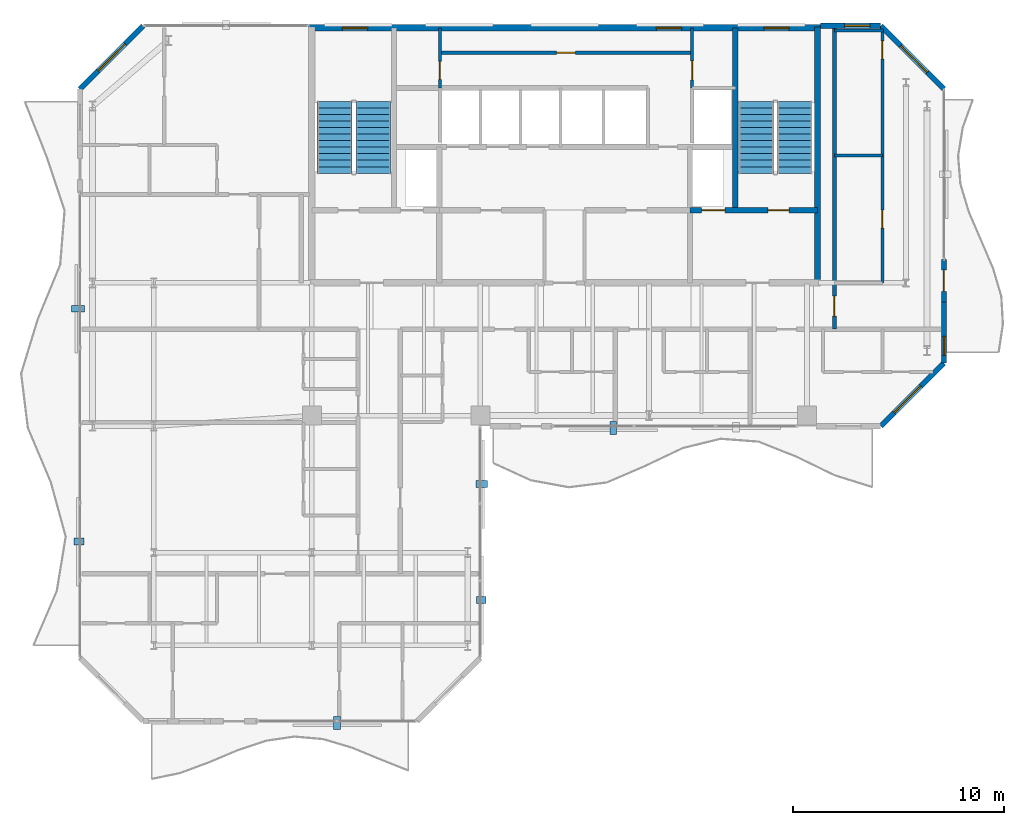
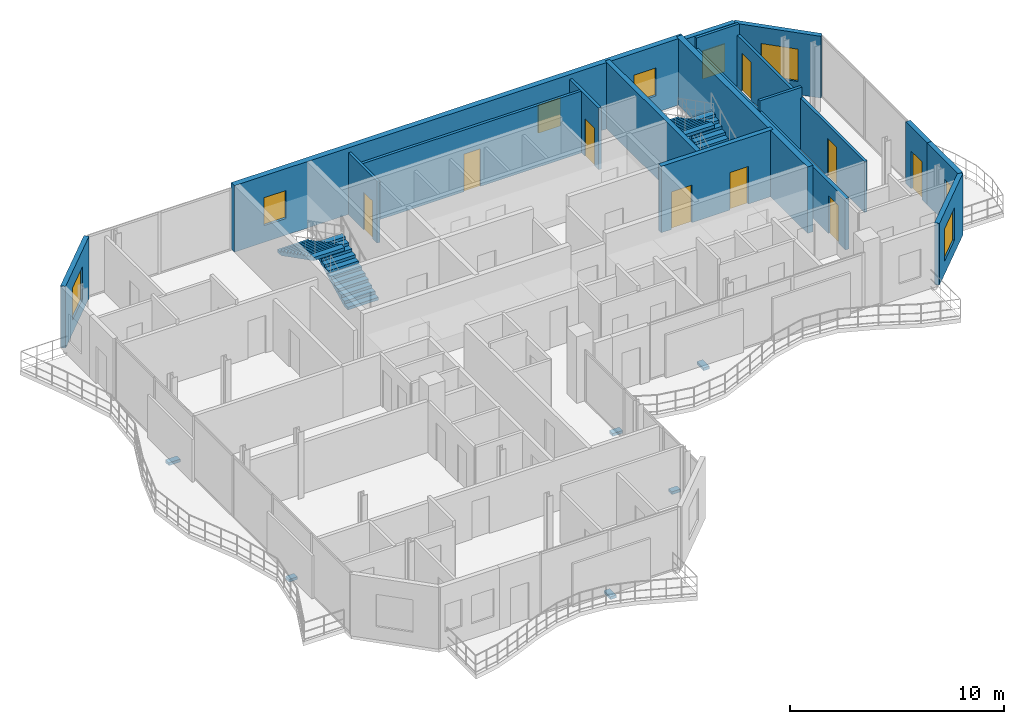
# One storey, part 20 of 24: 17 walls, 9 doors, 8 windows, 6 discrete accessories, 4 stair flights, 17 openings, 2 elements without a shape of their own.
"""IFC4 building model written with IfcOpenShell, lengths in metres."""

from ifc_helpers import new_model, si_unit, direction, frame, frame_2d, origin, origin_2d, place, context, subcontext, project, spatial, polyline, rectangle, outline, extrude, material, layer, layer_set, type_object, element, fill, aggregate, save


model = new_model("IFC4")

# Units and contexts
model_context = context("Model", 3, precision=1e-05, world=origin(), true_north=direction((0.0, 1.0)))
body_context = subcontext(model_context, "Body", "Model", "MODEL_VIEW")
ifc_project = project(units=[si_unit("LENGTHUNIT", "METRE"), si_unit("AREAUNIT", "SQUARE_METRE"), si_unit("VOLUMEUNIT", "CUBIC_METRE"), si_unit("PLANEANGLEUNIT", "RADIAN"), si_unit("MASSUNIT", "GRAM", prefix="KILO")], contexts=[model_context])

# Site, building, storey
site_placement = place(None, origin())
site = spatial("IfcSite", under=ifc_project, at=site_placement, CompositionType="ELEMENT")
building_placement = place(site_placement, origin())
building = spatial("IfcBuilding", under=site, at=building_placement, Name="Catumbela Crestline Tower", CompositionType="ELEMENT")
storey_placement = place(building_placement, frame((0.0, 0.0, 237.4)))
storey = spatial("IfcBuildingStorey", under=building, at=storey_placement, Name="L61", CompositionType="ELEMENT", Elevation=237.4)

# Wall
ifc_material_1 = material(Name="Concrete C50/60", Category="concrete")
ifc_layer_1 = layer(ifc_material_1, 0.25, Name="Concrete C50/60")
ifc_layer_set_1 = layer_set([ifc_layer_1], Name="Concrete C50/60")
wall_type_1 = type_object("IfcWallType", Name="CW-250D", PredefinedType="SHEAR", material=ifc_layer_set_1)
wall_1_placement = place(storey_placement, frame((36.1, 34.25, 0.0), z_axis=(0.0, 0.0, 1.0), x_axis=(0.0, 1.0, 0.0)))
element("IfcWall", 1, at=wall_1_placement, inside=storey, type_object=wall_type_1, Name="L61 Structural Core Shear Wall EWEB", PredefinedType="SHEAR", context=body_context, shape_type="SweptSolid", body=[
    extrude(rectangle(XDim=8.65, YDim=0.25, at=frame_2d((4.325, 0.0))), origin(), (0.0, 0.0, 1.0), 3.8),
])

# Wall, openings, doors
wall_2_placement = place(storey_placement, frame((33.95, 34.25, 0.0), z_axis=(0.0, 0.0, 1.0), x_axis=(1.0, 0.0, 0.0)))
wall_2 = element("IfcWall", 2, at=wall_2_placement, inside=storey, type_object=wall_type_1, Name="L61 Structural Core Shear Wall ST2S", PredefinedType="SHEAR", context=body_context, shape_type="SweptSolid", body=[
    extrude(rectangle(XDim=6.05, YDim=0.25, at=frame_2d((3.025, 0.0))), origin(), (0.0, 0.0, 1.0), 3.8),
])
opening_1_placement = place(wall_2_placement, frame((3.7, 0.0, 0.0)))
opening_1 = element("IfcOpeningElement", 3, at=opening_1_placement, cuts=wall_2, Name="Opening DF9-100", PredefinedType="OPENING", context=body_context, shape_type="SweptSolid", body=[
    extrude(rectangle(XDim=1.0, YDim=2.15, at=frame_2d((0.5, 1.075))), frame((0.0, 0.135, 0.0), z_axis=(0.0, -1.0, 0.0), x_axis=(1.0, 0.0, 0.0)), (0.0, 0.0, 1.0), 0.27),
])
opening_2_placement = place(wall_2_placement, frame((0.55, 0.0, 0.0)))
opening_2 = element("IfcOpeningElement", 4, at=opening_2_placement, cuts=wall_2, Name="Opening LD-110", PredefinedType="OPENING", context=body_context, shape_type="SweptSolid", body=[
    extrude(rectangle(XDim=1.1, YDim=2.15, at=frame_2d((0.55, 1.075))), frame((0.0, 0.135, 0.0), z_axis=(0.0, -1.0, 0.0), x_axis=(1.0, 0.0, 0.0)), (0.0, 0.0, 1.0), 0.27),
])
ifc_material_2 = material(Name="Stainless steel EN 1.4401", Category="steel")
door_type_1 = type_object("IfcDoorType", Name="DF9-100", OperationType="NOTDEFINED", PredefinedType="DOOR", material=ifc_material_2)
door_1_placement = place(opening_1_placement, origin())
door_1 = element("IfcDoor", 5, at=door_1_placement, inside=storey, type_object=door_type_1, Name="L61 Interior Door DR-L61-ST02", OperationType="SINGLE_SWING_RIGHT", OverallHeight=2.15, OverallWidth=1.0, PredefinedType="DOOR", context=body_context, shape_type="SweptSolid", body=[
    extrude(rectangle(XDim=1.0, YDim=2.15, at=frame_2d((0.5, 1.075))), frame((0.0, 0.025, 0.0), z_axis=(0.0, -1.0, 0.0), x_axis=(1.0, 0.0, 0.0)), (0.0, 0.0, 1.0), 0.05),
])
fill(opening_1, door_1)
door_type_2 = type_object("IfcDoorType", Name="LD-110", OperationType="NOTDEFINED", PredefinedType="DOOR", material=ifc_material_2)
door_2_placement = place(opening_2_placement, origin())
door_2 = element("IfcDoor", 6, at=door_2_placement, inside=storey, type_object=door_type_2, Name="L61 Lift Landing Sliding Door FL-02", OperationType="DOUBLE_DOOR_SLIDING", OverallHeight=2.15, OverallWidth=1.1, PredefinedType="DOOR", context=body_context, shape_type="SweptSolid", body=[
    extrude(rectangle(XDim=1.1, YDim=2.15, at=frame_2d((0.55, 1.075))), frame((0.0, 0.025, 0.0), z_axis=(0.0, -1.0, 0.0), x_axis=(1.0, 0.0, 0.0)), (0.0, 0.0, 1.0), 0.05),
])
fill(opening_2, door_2)

# Wall
ifc_material_3 = material(Name="Concrete C45/55", Category="concrete")
ifc_layer_2 = layer(ifc_material_3, 0.3, Name="Concrete C45/55")
ifc_layer_set_2 = layer_set([ifc_layer_2], Name="Concrete C45/55")
wall_type_2 = type_object("IfcWallType", Name="CW-300C", PredefinedType="SHEAR", material=ifc_layer_set_2)
wall_3_placement = place(storey_placement, frame((40.0, 30.65, 0.0), z_axis=(0.0, 0.0, 1.0), x_axis=(0.0, 1.0, 0.0)))
element("IfcWall", 7, at=wall_3_placement, inside=storey, type_object=wall_type_2, Name="L61 Structural Core Shear Wall E", PredefinedType="SHEAR", context=body_context, shape_type="SweptSolid", body=[
    extrude(rectangle(XDim=12.3, YDim=0.3, at=frame_2d((6.15, 0.0))), origin(), (0.0, 0.0, 1.0), 3.8),
])

# Wall, openings, windows
ifc_layer_3 = layer(ifc_material_3, 0.3, Name="Concrete C45/55")
ifc_layer_set_3 = layer_set([ifc_layer_3], Name="Concrete C45/55")
wall_type_3 = type_object("IfcWallType", Name="CW-300E", PredefinedType="SHEAR", material=ifc_layer_set_3)
wall_4_placement = place(storey_placement, frame((15.85, 42.9, 0.0), z_axis=(0.0, 0.0, 1.0), x_axis=(1.0, 0.0, 0.0)))
wall_4 = element("IfcWall", 8, at=wall_4_placement, inside=storey, type_object=wall_type_3, Name="L61 Structural Core Shear Wall N", PredefinedType="SHEAR", context=body_context, shape_type="SweptSolid", body=[
    extrude(rectangle(XDim=24.3, YDim=0.3, at=frame_2d((12.15, 0.0))), origin(), (0.0, 0.0, 1.0), 3.8),
])
opening_3_placement = place(wall_4_placement, frame((1.6, 0.0, 0.95)))
opening_3 = element("IfcOpeningElement", 9, at=opening_3_placement, cuts=wall_4, Name="Opening WN-02", PredefinedType="OPENING", context=body_context, shape_type="SweptSolid", body=[
    extrude(rectangle(XDim=1.2, YDim=1.6, at=frame_2d((0.6, 0.8))), frame((0.0, 0.16, 0.0), z_axis=(0.0, -1.0, 0.0), x_axis=(1.0, 0.0, 0.0)), (0.0, 0.0, 1.0), 0.32),
])
opening_4_placement = place(wall_4_placement, frame((16.5, 0.0, 0.95)))
opening_4 = element("IfcOpeningElement", 10, at=opening_4_placement, cuts=wall_4, Name="Opening WN-02", PredefinedType="OPENING", context=body_context, shape_type="SweptSolid", body=[
    extrude(rectangle(XDim=1.2, YDim=1.6, at=frame_2d((0.6, 0.8))), frame((0.0, 0.16, 0.0), z_axis=(0.0, -1.0, 0.0), x_axis=(1.0, 0.0, 0.0)), (0.0, 0.0, 1.0), 0.32),
])
opening_5_placement = place(wall_4_placement, frame((21.6, 0.0, 0.95)))
opening_5 = element("IfcOpeningElement", 11, at=opening_5_placement, cuts=wall_4, Name="Opening WN-02", PredefinedType="OPENING", context=body_context, shape_type="SweptSolid", body=[
    extrude(rectangle(XDim=1.2, YDim=1.6, at=frame_2d((0.6, 0.8))), frame((0.0, 0.16, 0.0), z_axis=(0.0, -1.0, 0.0), x_axis=(1.0, 0.0, 0.0)), (0.0, 0.0, 1.0), 0.32),
])
ifc_material_4 = material(Name="Low-E laminated solar-control double glazing", Category="glass")
window_type_1 = type_object("IfcWindowType", Name="WO-1200", PartitioningType="SINGLE_PANEL", PredefinedType="WINDOW", material=ifc_material_4)
window_1_placement = place(opening_3_placement, origin())
window_1 = element("IfcWindow", 12, at=window_1_placement, inside=storey, type_object=window_type_1, Name="L61 North Core Daylight Vision Window 440", OverallHeight=1.6, OverallWidth=1.2, PartitioningType="SINGLE_PANEL", PredefinedType="WINDOW", context=body_context, shape_type="SweptSolid", body=[
    extrude(rectangle(XDim=1.2, YDim=1.6, at=frame_2d((0.6, 0.8))), frame((0.0, 0.03, 0.0), z_axis=(0.0, -1.0, 0.0), x_axis=(1.0, 0.0, 0.0)), (0.0, 0.0, 1.0), 0.06),
])
fill(opening_3, window_1)
window_2_placement = place(opening_4_placement, origin())
window_2 = element("IfcWindow", 13, at=window_2_placement, inside=storey, type_object=window_type_1, Name="L61 North Core Daylight Vision Window 441", OverallHeight=1.6, OverallWidth=1.2, PartitioningType="SINGLE_PANEL", PredefinedType="WINDOW", context=body_context, shape_type="SweptSolid", body=[
    extrude(rectangle(XDim=1.2, YDim=1.6, at=frame_2d((0.6, 0.8))), frame((0.0, 0.03, 0.0), z_axis=(0.0, -1.0, 0.0), x_axis=(1.0, 0.0, 0.0)), (0.0, 0.0, 1.0), 0.06),
])
fill(opening_4, window_2)
window_3_placement = place(opening_5_placement, origin())
window_3 = element("IfcWindow", 14, at=window_3_placement, inside=storey, type_object=window_type_1, Name="L61 North Core Daylight Vision Window 442", OverallHeight=1.6, OverallWidth=1.2, PartitioningType="SINGLE_PANEL", PredefinedType="WINDOW", context=body_context, shape_type="SweptSolid", body=[
    extrude(rectangle(XDim=1.2, YDim=1.6, at=frame_2d((0.6, 0.8))), frame((0.0, 0.03, 0.0), z_axis=(0.0, -1.0, 0.0), x_axis=(1.0, 0.0, 0.0)), (0.0, 0.0, 1.0), 0.06),
])
fill(opening_5, window_3)

# Wall, opening, door
ifc_material_5 = material(Name="Acoustic gypsum and mineral-wool partition")
ifc_layer_4 = layer(ifc_material_5, 0.2, Name="Acoustic gypsum and mineral-wool partition")
ifc_layer_set_4 = layer_set([ifc_layer_4], Name="Acoustic gypsum and mineral-wool partition")
wall_type_4 = type_object("IfcWallType", Name="WC-200", PredefinedType="PARTITIONING", material=ifc_layer_set_4)
wall_5_placement = place(storey_placement, frame((40.8, 28.6, 0.0), z_axis=(0.0, 0.0, 1.0), x_axis=(0.0, 1.0, 0.0)))
wall_5 = element("IfcWall", 15, at=wall_5_placement, inside=storey, type_object=wall_type_4, Name="L61 Interior Partition PW-L61-NE1-ENT", PredefinedType="PARTITIONING", context=body_context, shape_type="SweptSolid", body=[
    extrude(rectangle(XDim=14.3, YDim=0.2, at=frame_2d((7.15, 0.0))), origin(), (0.0, 0.0, 1.0), 2.92),
])
opening_6_placement = place(wall_5_placement, frame((0.625, 0.0, 0.0)))
opening_6 = element("IfcOpeningElement", 16, at=opening_6_placement, cuts=wall_5, Name="Opening DF6-095", PredefinedType="OPENING", context=body_context, shape_type="SweptSolid", body=[
    extrude(rectangle(XDim=0.95, YDim=2.15, at=frame_2d((0.475, 1.075))), frame((0.0, 0.11, 0.0), z_axis=(0.0, -1.0, 0.0), x_axis=(1.0, 0.0, 0.0)), (0.0, 0.0, 1.0), 0.22),
])
ifc_material_6 = material(Name="Aluminium alloy AW-6060-T66", Category="aluminium")
door_type_3 = type_object("IfcDoorType", Name="DF6-095", OperationType="NOTDEFINED", PredefinedType="DOOR", material=ifc_material_6)
door_3_placement = place(opening_6_placement, origin())
door_3 = element("IfcDoor", 17, at=door_3_placement, inside=storey, type_object=door_type_3, Name="L61 Interior Door DR-L61-NE1-ENT", OperationType="SINGLE_SWING_LEFT", OverallHeight=2.15, OverallWidth=0.95, PredefinedType="DOOR", context=body_context, shape_type="SweptSolid", body=[
    extrude(rectangle(XDim=0.95, YDim=2.15, at=frame_2d((0.475, 1.075))), frame((0.0, 0.025, 0.0), z_axis=(0.0, -1.0, 0.0), x_axis=(1.0, 0.0, 0.0)), (0.0, 0.0, 1.0), 0.05),
])
fill(opening_6, door_3)

# Wall, opening, window
ifc_material_7 = material(Name="Angolan grey-ochre granite", Category="masonry")
ifc_layer_5 = layer(ifc_material_7, 0.25, Name="Angolan grey-ochre granite")
ifc_layer_set_5 = layer_set([ifc_layer_5], Name="Angolan grey-ochre granite")
wall_type_5 = type_object("IfcWallType", Name="WE-250", PredefinedType="STANDARD", material=ifc_layer_set_5)
wall_6_placement = place(storey_placement, frame((43.0, 24.0, 0.0), z_axis=(0.0, 0.0, 1.0), x_axis=(0.707106781187, 0.707106781187, 0.0)))
wall_6 = element("IfcWall", 18, at=wall_6_placement, inside=storey, type_object=wall_type_5, Name="L61 Granite Punched Window Wall 4-1", PredefinedType="STANDARD", context=body_context, shape_type="SweptSolid", body=[
    extrude(rectangle(XDim=4.2426, YDim=0.25, at=frame_2d((2.1213, 0.0))), origin(), (0.0, 0.0, 1.0), 3.53),
])
opening_7_placement = place(wall_6_placement, frame((0.8962, 0.0, 0.75)))
opening_7 = element("IfcOpeningElement", 19, at=opening_7_placement, cuts=wall_6, Name="Opening WN-01", PredefinedType="OPENING", context=body_context, shape_type="SweptSolid", body=[
    extrude(rectangle(XDim=1.8, YDim=1.85, at=frame_2d((0.9, 0.925))), frame((0.0, 0.135, 0.0), z_axis=(0.0, -1.0, 0.0), x_axis=(1.0, 0.0, 0.0)), (0.0, 0.0, 1.0), 0.27),
])
window_type_2 = type_object("IfcWindowType", Name="WF-1800", PartitioningType="SINGLE_PANEL", PredefinedType="WINDOW", material=ifc_material_4)
window_4_placement = place(opening_7_placement, origin())
window_4 = element("IfcWindow", 20, at=window_4_placement, inside=storey, type_object=window_type_2, Name="L61 Facade Vision Window 447", OverallHeight=1.85, OverallWidth=1.8, PartitioningType="SINGLE_PANEL", PredefinedType="WINDOW", context=body_context, shape_type="SweptSolid", body=[
    extrude(rectangle(XDim=1.8, YDim=1.85, at=frame_2d((0.9, 0.925))), frame((0.0, 0.03, 0.0), z_axis=(0.0, -1.0, 0.0), x_axis=(1.0, 0.0, 0.0)), (0.0, 0.0, 1.0), 0.06),
])
fill(opening_7, window_4)

# Wall, opening, door
wall_7_placement = place(storey_placement, frame((46.0, 29.9, 0.0), z_axis=(0.0, 0.0, 1.0), x_axis=(0.0, 1.0, 0.0)))
wall_7 = element("IfcWall", 21, at=wall_7_placement, inside=storey, type_object=wall_type_5, Name="L61 Exterior Threshold Portal Wall DR-L61-WBAL-2", PredefinedType="STANDARD", context=body_context, shape_type="SweptSolid", body=[
    extrude(rectangle(XDim=2.0, YDim=0.25, at=frame_2d((1.0, 0.0))), origin(), (0.0, 0.0, 1.0), 3.53),
])
opening_8_placement = place(wall_7_placement, frame((0.5, 0.0, 0.0)))
opening_8 = element("IfcOpeningElement", 22, at=opening_8_placement, cuts=wall_7, Name="Opening DB-L61-2", PredefinedType="OPENING", context=body_context, shape_type="SweptSolid", body=[
    extrude(rectangle(XDim=1.0, YDim=2.15, at=frame_2d((0.5, 1.075))), frame((0.0, 0.135, 0.0), z_axis=(0.0, -1.0, 0.0), x_axis=(1.0, 0.0, 0.0)), (0.0, 0.0, 1.0), 0.27),
])
door_type_4 = type_object("IfcDoorType", Name="DB-1000", OperationType="NOTDEFINED", PredefinedType="DOOR", material=ifc_material_6)
door_4_placement = place(opening_8_placement, origin())
door_4 = element("IfcDoor", 23, at=door_4_placement, inside=storey, type_object=door_type_4, Name="L61 Wave Balcony Terrace Door 2", OperationType="SINGLE_SWING_RIGHT", OverallHeight=2.15, OverallWidth=1.0, PredefinedType="DOOR", context=body_context, shape_type="SweptSolid", body=[
    extrude(rectangle(XDim=1.0, YDim=2.15, at=frame_2d((0.5, 1.075))), frame((0.0, 0.025, 0.0), z_axis=(0.0, -1.0, 0.0), x_axis=(1.0, 0.0, 0.0)), (0.0, 0.0, 1.0), 0.05),
])
fill(opening_8, door_4)

# Wall, opening, window
wall_8_placement = place(storey_placement, frame((46.0, 27.0, 0.0), z_axis=(0.0, 0.0, 1.0), x_axis=(0.0, 1.0, 0.0)))
wall_8 = element("IfcWall", 24, at=wall_8_placement, inside=storey, type_object=wall_type_5, Name="L61 Granite Punched Window Wall 5-1", PredefinedType="STANDARD", context=body_context, shape_type="SweptSolid", body=[
    extrude(rectangle(XDim=2.9, YDim=0.25, at=frame_2d((1.45, 0.0))), origin(), (0.0, 0.0, 1.0), 3.53),
])
opening_9_placement = place(wall_8_placement, frame((0.36, 0.0, 0.9)))
opening_9 = element("IfcOpeningElement", 25, at=opening_9_placement, cuts=wall_8, Name="Opening WN-03", PredefinedType="OPENING", context=body_context, shape_type="SweptSolid", body=[
    extrude(rectangle(XDim=0.9, YDim=1.55, at=frame_2d((0.45, 0.775))), frame((0.0, 0.135, 0.0), z_axis=(0.0, -1.0, 0.0), x_axis=(1.0, 0.0, 0.0)), (0.0, 0.0, 1.0), 0.27),
])
window_type_3 = type_object("IfcWindowType", Name="WO-0900", PartitioningType="SINGLE_PANEL", PredefinedType="WINDOW", material=ifc_material_4)
window_5_placement = place(opening_9_placement, origin())
window_5 = element("IfcWindow", 26, at=window_5_placement, inside=storey, type_object=window_type_3, Name="L61 Facade Vision Window 448", OverallHeight=1.55, OverallWidth=0.9, PartitioningType="SINGLE_PANEL", PredefinedType="WINDOW", context=body_context, shape_type="SweptSolid", body=[
    extrude(rectangle(XDim=0.9, YDim=1.55, at=frame_2d((0.45, 0.775))), frame((0.0, 0.03, 0.0), z_axis=(0.0, -1.0, 0.0), x_axis=(1.0, 0.0, 0.0)), (0.0, 0.0, 1.0), 0.06),
])
fill(opening_9, window_5)

wall_9_placement = place(storey_placement, frame((46.0, 40.0, 0.0), z_axis=(0.0, 0.0, 1.0), x_axis=(-0.707106781187, 0.707106781187, 0.0)))
wall_9 = element("IfcWall", 27, at=wall_9_placement, inside=storey, type_object=wall_type_5, Name="L61 Granite Punched Window Wall 6-1", PredefinedType="STANDARD", context=body_context, shape_type="SweptSolid", body=[
    extrude(rectangle(XDim=4.2426, YDim=0.25, at=frame_2d((2.1213, 0.0))), origin(), (0.0, 0.0, 1.0), 3.53),
])
opening_10_placement = place(wall_9_placement, frame((1.1111, 0.0, 0.75)))
opening_10 = element("IfcOpeningElement", 28, at=opening_10_placement, cuts=wall_9, Name="Opening WN-01", PredefinedType="OPENING", context=body_context, shape_type="SweptSolid", body=[
    extrude(rectangle(XDim=1.8, YDim=1.85, at=frame_2d((0.9, 0.925))), frame((0.0, 0.135, 0.0), z_axis=(0.0, -1.0, 0.0), x_axis=(1.0, 0.0, 0.0)), (0.0, 0.0, 1.0), 0.27),
])
window_6_placement = place(opening_10_placement, origin())
window_6 = element("IfcWindow", 29, at=window_6_placement, inside=storey, type_object=window_type_2, Name="L61 Facade Vision Window 449", OverallHeight=1.85, OverallWidth=1.8, PartitioningType="SINGLE_PANEL", PredefinedType="WINDOW", context=body_context, shape_type="SweptSolid", body=[
    extrude(rectangle(XDim=1.8, YDim=1.85, at=frame_2d((0.9, 0.925))), frame((0.0, 0.03, 0.0), z_axis=(0.0, -1.0, 0.0), x_axis=(1.0, 0.0, 0.0)), (0.0, 0.0, 1.0), 0.06),
])
fill(opening_10, window_6)

wall_10_placement = place(storey_placement, frame((43.0, 43.0, 0.0), z_axis=(0.0, 0.0, 1.0), x_axis=(-1.0, 0.0, 0.0)))
wall_10 = element("IfcWall", 30, at=wall_10_placement, inside=storey, type_object=wall_type_5, Name="L61 Granite Punched Window Wall 7-1", PredefinedType="STANDARD", context=body_context, shape_type="SweptSolid", body=[
    extrude(rectangle(XDim=2.86, YDim=0.25, at=frame_2d((1.43, 0.0))), origin(), (0.0, 0.0, 1.0), 3.53),
])
opening_11_placement = place(wall_10_placement, frame((0.51, 0.0, 0.85)))
opening_11 = element("IfcOpeningElement", 31, at=opening_11_placement, cuts=wall_10, Name="Opening WN-02", PredefinedType="OPENING", context=body_context, shape_type="SweptSolid", body=[
    extrude(rectangle(XDim=1.2, YDim=1.6, at=frame_2d((0.6, 0.8))), frame((0.0, 0.135, 0.0), z_axis=(0.0, -1.0, 0.0), x_axis=(1.0, 0.0, 0.0)), (0.0, 0.0, 1.0), 0.27),
])
window_7_placement = place(opening_11_placement, origin())
window_7 = element("IfcWindow", 32, at=window_7_placement, inside=storey, type_object=window_type_1, Name="L61 Facade Vision Window 450", OverallHeight=1.6, OverallWidth=1.2, PartitioningType="SINGLE_PANEL", PredefinedType="WINDOW", context=body_context, shape_type="SweptSolid", body=[
    extrude(rectangle(XDim=1.2, YDim=1.6, at=frame_2d((0.6, 0.8))), frame((0.0, 0.03, 0.0), z_axis=(0.0, -1.0, 0.0), x_axis=(1.0, 0.0, 0.0)), (0.0, 0.0, 1.0), 0.06),
])
fill(opening_11, window_7)

wall_11_placement = place(storey_placement, frame((8.0, 43.0, 0.0), z_axis=(0.0, 0.0, 1.0), x_axis=(-0.707106781187, -0.707106781187, 0.0)))
wall_11 = element("IfcWall", 33, at=wall_11_placement, inside=storey, type_object=wall_type_5, Name="L61 Granite Punched Window Wall 8-1", PredefinedType="STANDARD", context=body_context, shape_type="SweptSolid", body=[
    extrude(rectangle(XDim=4.2426, YDim=0.25, at=frame_2d((2.1213, 0.0))), origin(), (0.0, 0.0, 1.0), 3.53),
])
opening_12_placement = place(wall_11_placement, frame((1.2213, 0.0, 0.75)))
opening_12 = element("IfcOpeningElement", 34, at=opening_12_placement, cuts=wall_11, Name="Opening WN-01", PredefinedType="OPENING", context=body_context, shape_type="SweptSolid", body=[
    extrude(rectangle(XDim=1.8, YDim=1.85, at=frame_2d((0.9, 0.925))), frame((0.0, 0.135, 0.0), z_axis=(0.0, -1.0, 0.0), x_axis=(1.0, 0.0, 0.0)), (0.0, 0.0, 1.0), 0.27),
])
window_8_placement = place(opening_12_placement, origin())
window_8 = element("IfcWindow", 35, at=window_8_placement, inside=storey, type_object=window_type_2, Name="L61 Facade Vision Window 451", OverallHeight=1.85, OverallWidth=1.8, PartitioningType="SINGLE_PANEL", PredefinedType="WINDOW", context=body_context, shape_type="SweptSolid", body=[
    extrude(rectangle(XDim=1.8, YDim=1.85, at=frame_2d((0.9, 0.925))), frame((0.0, 0.03, 0.0), z_axis=(0.0, -1.0, 0.0), x_axis=(1.0, 0.0, 0.0)), (0.0, 0.0, 1.0), 0.06),
])
fill(opening_12, window_8)

# Wall, opening, door
ifc_layer_6 = layer(ifc_material_5, 0.15, Name="Acoustic gypsum and mineral-wool partition")
ifc_layer_set_6 = layer_set([ifc_layer_6], Name="Acoustic gypsum and mineral-wool partition")
wall_type_6 = type_object("IfcWallType", Name="WP-150", PredefinedType="PARTITIONING", material=ifc_layer_set_6)
wall_12_placement = place(storey_placement, frame((34.05, 40.05, 0.0), z_axis=(0.0, 0.0, 1.0), x_axis=(0.0, 1.0, 0.0)))
wall_12 = element("IfcWall", 36, at=wall_12_placement, inside=storey, type_object=wall_type_6, Name="L61 Interior Partition PW-L61-CR-EW", PredefinedType="PARTITIONING", context=body_context, shape_type="SweptSolid", body=[
    extrude(rectangle(XDim=2.85, YDim=0.15, at=frame_2d((1.425, 0.0))), origin(), (0.0, 0.0, 1.0), 3.53),
])
opening_13_placement = place(wall_12_placement, frame((0.385, 0.0, 0.0)))
opening_13 = element("IfcOpeningElement", 37, at=opening_13_placement, cuts=wall_12, Name="Opening DF9-090", PredefinedType="OPENING", context=body_context, shape_type="SweptSolid", body=[
    extrude(rectangle(XDim=0.9, YDim=2.15, at=frame_2d((0.45, 1.075))), frame((0.0, 0.085, 0.0), z_axis=(0.0, -1.0, 0.0), x_axis=(1.0, 0.0, 0.0)), (0.0, 0.0, 1.0), 0.17),
])
door_type_5 = type_object("IfcDoorType", Name="DF9-090", OperationType="NOTDEFINED", PredefinedType="DOOR", material=ifc_material_2)
door_5_placement = place(opening_13_placement, origin())
door_5 = element("IfcDoor", 38, at=door_5_placement, inside=storey, type_object=door_type_5, Name="L61 Interior Door DR-L61-CREAST", OperationType="SINGLE_SWING_RIGHT", OverallHeight=2.15, OverallWidth=0.9, PredefinedType="DOOR", context=body_context, shape_type="SweptSolid", body=[
    extrude(rectangle(XDim=0.9, YDim=2.15, at=frame_2d((0.45, 1.075))), frame((0.0, 0.025, 0.0), z_axis=(0.0, -1.0, 0.0), x_axis=(1.0, 0.0, 0.0)), (0.0, 0.0, 1.0), 0.05),
])
fill(opening_13, door_5)

wall_13_placement = place(storey_placement, frame((22.08, 40.05, 0.0), z_axis=(0.0, 0.0, 1.0), x_axis=(0.0, 1.0, 0.0)))
wall_13 = element("IfcWall", 39, at=wall_13_placement, inside=storey, type_object=wall_type_6, Name="L61 Interior Partition PW-L61-CR-WCW", PredefinedType="PARTITIONING", context=body_context, shape_type="SweptSolid", body=[
    extrude(rectangle(XDim=2.85, YDim=0.15, at=frame_2d((1.425, 0.0))), origin(), (0.0, 0.0, 1.0), 3.53),
])
opening_14_placement = place(wall_13_placement, frame((0.41, 0.0, 0.0)))
opening_14 = element("IfcOpeningElement", 40, at=opening_14_placement, cuts=wall_13, Name="Opening DI-085", PredefinedType="OPENING", context=body_context, shape_type="SweptSolid", body=[
    extrude(rectangle(XDim=0.85, YDim=2.15, at=frame_2d((0.425, 1.075))), frame((0.0, 0.085, 0.0), z_axis=(0.0, -1.0, 0.0), x_axis=(1.0, 0.0, 0.0)), (0.0, 0.0, 1.0), 0.17),
])
door_type_6 = type_object("IfcDoorType", Name="DI-085", OperationType="NOTDEFINED", PredefinedType="DOOR", material=ifc_material_6)
door_6_placement = place(opening_14_placement, origin())
door_6 = element("IfcDoor", 41, at=door_6_placement, inside=storey, type_object=door_type_6, Name="L61 Interior Door DR-L61-CRWC", OperationType="SINGLE_SWING_LEFT", OverallHeight=2.15, OverallWidth=0.85, PredefinedType="DOOR", context=body_context, shape_type="SweptSolid", body=[
    extrude(rectangle(XDim=0.85, YDim=2.15, at=frame_2d((0.425, 1.075))), frame((0.0, 0.025, 0.0), z_axis=(0.0, -1.0, 0.0), x_axis=(1.0, 0.0, 0.0)), (0.0, 0.0, 1.0), 0.05),
])
fill(opening_14, door_6)

wall_14_placement = place(storey_placement, frame((22.08, 41.72, 0.0), z_axis=(0.0, 0.0, 1.0), x_axis=(1.0, 0.0, 0.0)))
wall_14 = element("IfcWall", 42, at=wall_14_placement, inside=storey, type_object=wall_type_6, Name="L61 Interior Partition PW-L61-CR-MID", PredefinedType="PARTITIONING", context=body_context, shape_type="SweptSolid", body=[
    extrude(rectangle(XDim=11.97, YDim=0.15, at=frame_2d((5.985, 0.0))), origin(), (0.0, 0.0, 1.0), 3.53),
])
opening_15_placement = place(wall_14_placement, frame((5.535, 0.0, 0.0)))
opening_15 = element("IfcOpeningElement", 43, at=opening_15_placement, cuts=wall_14, Name="Opening DF9-090", PredefinedType="OPENING", context=body_context, shape_type="SweptSolid", body=[
    extrude(rectangle(XDim=0.9, YDim=2.15, at=frame_2d((0.45, 1.075))), frame((0.0, 0.085, 0.0), z_axis=(0.0, -1.0, 0.0), x_axis=(1.0, 0.0, 0.0)), (0.0, 0.0, 1.0), 0.17),
])
door_7_placement = place(opening_15_placement, origin())
door_7 = element("IfcDoor", 44, at=door_7_placement, inside=storey, type_object=door_type_5, Name="L61 Interior Door DR-L61-CRMID", OperationType="SINGLE_SWING_LEFT", OverallHeight=2.15, OverallWidth=0.9, PredefinedType="DOOR", context=body_context, shape_type="SweptSolid", body=[
    extrude(rectangle(XDim=0.9, YDim=2.15, at=frame_2d((0.45, 1.075))), frame((0.0, 0.025, 0.0), z_axis=(0.0, -1.0, 0.0), x_axis=(1.0, 0.0, 0.0)), (0.0, 0.0, 1.0), 0.05),
])
fill(opening_15, door_7)

# Wall
wall_15_placement = place(storey_placement, frame((40.8, 36.85, 0.0), z_axis=(0.0, 0.0, 1.0), x_axis=(1.0, 0.0, 0.0)))
element("IfcWall", 45, at=wall_15_placement, inside=storey, type_object=wall_type_6, Name="L61 Interior Partition PW-L61-NE1-KBM", PredefinedType="PARTITIONING", context=body_context, shape_type="SweptSolid", body=[
    extrude(rectangle(XDim=2.28, YDim=0.15, at=frame_2d((1.14, 0.0))), origin(), (0.0, 0.0, 1.0), 3.53),
])

# Wall, openings, doors
wall_16_placement = place(storey_placement, frame((43.08, 30.8, 0.0), z_axis=(0.0, 0.0, 1.0), x_axis=(0.0, 1.0, 0.0)))
wall_16 = element("IfcWall", 46, at=wall_16_placement, inside=storey, type_object=wall_type_6, Name="L61 Interior Partition PW-L61-NE1-SK1", PredefinedType="PARTITIONING", context=body_context, shape_type="SweptSolid", body=[
    extrude(rectangle(XDim=12.02, YDim=0.15, at=frame_2d((6.01, 0.0))), origin(), (0.0, 0.0, 1.0), 2.92),
])
opening_16_placement = place(wall_16_placement, frame((2.6, 0.0, 0.0)))
opening_16 = element("IfcOpeningElement", 47, at=opening_16_placement, cuts=wall_16, Name="Opening DI-085", PredefinedType="OPENING", context=body_context, shape_type="SweptSolid", body=[
    extrude(rectangle(XDim=0.85, YDim=2.15, at=frame_2d((0.425, 1.075))), frame((0.0, 0.085, 0.0), z_axis=(0.0, -1.0, 0.0), x_axis=(1.0, 0.0, 0.0)), (0.0, 0.0, 1.0), 0.17),
])
opening_17_placement = place(wall_16_placement, frame((10.6287, 0.0, 0.0)))
opening_17 = element("IfcOpeningElement", 48, at=opening_17_placement, cuts=wall_16, Name="Opening DI-085", PredefinedType="OPENING", context=body_context, shape_type="SweptSolid", body=[
    extrude(rectangle(XDim=0.85, YDim=2.15, at=frame_2d((0.425, 1.075))), frame((0.0, 0.085, 0.0), z_axis=(0.0, -1.0, 0.0), x_axis=(1.0, 0.0, 0.0)), (0.0, 0.0, 1.0), 0.17),
])
door_8_placement = place(opening_16_placement, origin())
door_8 = element("IfcDoor", 49, at=door_8_placement, inside=storey, type_object=door_type_6, Name="L61 Interior Door DR-L61-NE1-KIT", OperationType="SINGLE_SWING_LEFT", OverallHeight=2.15, OverallWidth=0.85, PredefinedType="DOOR", context=body_context, shape_type="SweptSolid", body=[
    extrude(rectangle(XDim=0.85, YDim=2.15, at=frame_2d((0.425, 1.075))), frame((0.0, 0.025, 0.0), z_axis=(0.0, -1.0, 0.0), x_axis=(1.0, 0.0, 0.0)), (0.0, 0.0, 1.0), 0.05),
])
fill(opening_16, door_8)
door_9_placement = place(opening_17_placement, origin())
door_9 = element("IfcDoor", 50, at=door_9_placement, inside=storey, type_object=door_type_6, Name="L61 Interior Door DR-L61-NE1-BTH", OperationType="SINGLE_SWING_RIGHT", OverallHeight=2.15, OverallWidth=0.85, PredefinedType="DOOR", context=body_context, shape_type="SweptSolid", body=[
    extrude(rectangle(XDim=0.85, YDim=2.15, at=frame_2d((0.425, 1.075))), frame((0.0, 0.025, 0.0), z_axis=(0.0, -1.0, 0.0), x_axis=(1.0, 0.0, 0.0)), (0.0, 0.0, 1.0), 0.05),
])
fill(opening_17, door_9)

# Wall
wall_17_placement = place(storey_placement, frame((40.8, 42.78, 0.0), z_axis=(0.0, 0.0, 1.0), x_axis=(1.0, 0.0, 0.0)))
element("IfcWall", 51, at=wall_17_placement, inside=storey, type_object=wall_type_6, Name="L61 Interior Partition PW-L61-NE1-BTH-BCL-2", PredefinedType="PARTITIONING", context=body_context, shape_type="SweptSolid", body=[
    extrude(rectangle(XDim=2.32, YDim=0.15, at=frame_2d((1.16, 0.0))), origin(), (0.0, 0.0, 1.0), 3.53),
])

# Stair, stair flights
stair_type = type_object("IfcStairType", Name="ST-DLG", PredefinedType="HALF_TURN_STAIR", material=ifc_material_3)
stair_1_placement = place(storey_placement, origin())
stair_1 = element("IfcStair", 52, at=stair_1_placement, inside=storey, type_object=stair_type, Name="L61 West Core Pressurised Exit Stair ST-01", PredefinedType="HALF_TURN_STAIR")
stair_flight_type = type_object("IfcStairFlightType", Name="SF-1583", PredefinedType="STRAIGHT", material=ifc_material_3)
stair_flight_1_placement = place(storey_placement, frame((18.92, 36.0, 0.0), z_axis=(0.0, 0.0, 1.0), x_axis=(0.0, 1.0, 0.0)))
stair_flight_1 = element("IfcStairFlight", 53, at=stair_flight_1_placement, type_object=stair_flight_type, Name="ST-01 flight 1", NumberOfRisers=12, NumberOfTreads=11, PredefinedType="STRAIGHT", RiserHeight=0.158333333, TreadLength=0.31, context=body_context, shape_type="SweptSolid", body=[
    extrude(outline(polyline([(0.0, 0.0), (0.0, 0.1583), (0.31, 0.1583), (0.31, 0.3167), (0.62, 0.3167), (0.62, 0.475), (0.93, 0.475), (0.93, 0.6333), (1.24, 0.6333), (1.24, 0.7917), (1.55, 0.7917), (1.55, 0.95), (1.86, 0.95), (1.86, 1.1083), (2.17, 1.1083), (2.17, 1.2667), (2.48, 1.2667), (2.48, 1.425), (2.79, 1.425), (2.79, 1.5833), (3.1, 1.5833), (3.1, 1.7417), (3.41, 1.7417), (3.41, 1.9), (3.41, 1.562), (0.3518, 0.0), (0.0, 0.0)])), frame((0.0, 0.83, 0.0), z_axis=(0.0, -1.0, 0.0), x_axis=(1.0, 0.0, 0.0)), (0.0, 0.0, 1.0), 1.66),
])
stair_flight_2_placement = place(storey_placement, frame((17.08, 39.41, 1.9), z_axis=(0.0, 0.0, 1.0), x_axis=(0.0, -1.0, 0.0)))
stair_flight_2 = element("IfcStairFlight", 54, at=stair_flight_2_placement, type_object=stair_flight_type, Name="ST-01 flight 2", NumberOfRisers=12, NumberOfTreads=11, PredefinedType="STRAIGHT", RiserHeight=0.158333333, TreadLength=0.31, context=body_context, shape_type="SweptSolid", body=[
    extrude(outline(polyline([(0.0, 0.0), (0.0, 0.1583), (0.31, 0.1583), (0.31, 0.3167), (0.62, 0.3167), (0.62, 0.475), (0.93, 0.475), (0.93, 0.6333), (1.24, 0.6333), (1.24, 0.7917), (1.55, 0.7917), (1.55, 0.95), (1.86, 0.95), (1.86, 1.1083), (2.17, 1.1083), (2.17, 1.2667), (2.48, 1.2667), (2.48, 1.425), (2.79, 1.425), (2.79, 1.5833), (3.1, 1.5833), (3.1, 1.7417), (3.41, 1.7417), (3.41, 1.9), (3.41, 1.562), (0.3518, 0.0), (0.0, 0.0)])), frame((0.0, 0.83, 0.0), z_axis=(0.0, -1.0, 0.0), x_axis=(1.0, 0.0, 0.0)), (0.0, 0.0, 1.0), 1.66),
])
aggregate(stair_1, [stair_flight_1, stair_flight_2])

stair_2_placement = place(storey_placement, origin())
stair_2 = element("IfcStair", 55, at=stair_2_placement, inside=storey, type_object=stair_type, Name="L61 East Core Pressurised Exit Stair ST-02", PredefinedType="HALF_TURN_STAIR")
stair_flight_3_placement = place(storey_placement, frame((38.92, 36.0, 0.0), z_axis=(0.0, 0.0, 1.0), x_axis=(0.0, 1.0, 0.0)))
stair_flight_3 = element("IfcStairFlight", 56, at=stair_flight_3_placement, type_object=stair_flight_type, Name="ST-02 flight 1", NumberOfRisers=12, NumberOfTreads=11, PredefinedType="STRAIGHT", RiserHeight=0.158333333, TreadLength=0.31, context=body_context, shape_type="SweptSolid", body=[
    extrude(outline(polyline([(0.0, 0.0), (0.0, 0.1583), (0.31, 0.1583), (0.31, 0.3167), (0.62, 0.3167), (0.62, 0.475), (0.93, 0.475), (0.93, 0.6333), (1.24, 0.6333), (1.24, 0.7917), (1.55, 0.7917), (1.55, 0.95), (1.86, 0.95), (1.86, 1.1083), (2.17, 1.1083), (2.17, 1.2667), (2.48, 1.2667), (2.48, 1.425), (2.79, 1.425), (2.79, 1.5833), (3.1, 1.5833), (3.1, 1.7417), (3.41, 1.7417), (3.41, 1.9), (3.41, 1.562), (0.3518, 0.0), (0.0, 0.0)])), frame((0.0, 0.83, 0.0), z_axis=(0.0, -1.0, 0.0), x_axis=(1.0, 0.0, 0.0)), (0.0, 0.0, 1.0), 1.66),
])
stair_flight_4_placement = place(storey_placement, frame((37.08, 39.41, 1.9), z_axis=(0.0, 0.0, 1.0), x_axis=(0.0, -1.0, 0.0)))
stair_flight_4 = element("IfcStairFlight", 57, at=stair_flight_4_placement, type_object=stair_flight_type, Name="ST-02 flight 2", NumberOfRisers=12, NumberOfTreads=11, PredefinedType="STRAIGHT", RiserHeight=0.158333333, TreadLength=0.31, context=body_context, shape_type="SweptSolid", body=[
    extrude(outline(polyline([(0.0, 0.0), (0.0, 0.1583), (0.31, 0.1583), (0.31, 0.3167), (0.62, 0.3167), (0.62, 0.475), (0.93, 0.475), (0.93, 0.6333), (1.24, 0.6333), (1.24, 0.7917), (1.55, 0.7917), (1.55, 0.95), (1.86, 0.95), (1.86, 1.1083), (2.17, 1.1083), (2.17, 1.2667), (2.48, 1.2667), (2.48, 1.425), (2.79, 1.425), (2.79, 1.5833), (3.1, 1.5833), (3.1, 1.7417), (3.41, 1.7417), (3.41, 1.9), (3.41, 1.562), (0.3518, 0.0), (0.0, 0.0)])), frame((0.0, 0.83, 0.0), z_axis=(0.0, -1.0, 0.0), x_axis=(1.0, 0.0, 0.0)), (0.0, 0.0, 1.0), 1.66),
])
aggregate(stair_2, [stair_flight_3, stair_flight_4])

# Discrete accessories
discrete_accessory_type = type_object("IfcDiscreteAccessoryType", Name="BK-SS1", PredefinedType="BRACKET", material=ifc_material_2)
discrete_accessory_1_placement = place(storey_placement, frame((17.2, 9.915, -0.18), z_axis=(0.0, 0.0, 1.0), x_axis=(1.0, 0.0, 0.0)))
element("IfcDiscreteAccessory", 58, at=discrete_accessory_1_placement, inside=storey, type_object=discrete_accessory_type, Name="L61 Solar Screen Stainless Bracket 731", PredefinedType="BRACKET", context=body_context, shape_type="SweptSolid", body=[
    extrude(rectangle(XDim=0.32, YDim=0.62, at=origin_2d()), origin(), (0.0, 0.0, 1.0), 0.16),
])
discrete_accessory_2_placement = place(storey_placement, frame((24.045, 15.75, -0.18), z_axis=(0.0, 0.0, 1.0), x_axis=(0.0, 1.0, 0.0)))
element("IfcDiscreteAccessory", 59, at=discrete_accessory_2_placement, inside=storey, type_object=discrete_accessory_type, Name="L61 Solar Screen Stainless Bracket 732", PredefinedType="BRACKET", context=body_context, shape_type="SweptSolid", body=[
    extrude(rectangle(XDim=0.32, YDim=0.46, at=origin_2d()), origin(), (0.0, 0.0, 1.0), 0.16),
])
discrete_accessory_3_placement = place(storey_placement, frame((24.065, 21.25, -0.18), z_axis=(0.0, 0.0, 1.0), x_axis=(0.0, 1.0, 0.0)))
element("IfcDiscreteAccessory", 60, at=discrete_accessory_3_placement, inside=storey, type_object=discrete_accessory_type, Name="L61 Solar Screen Stainless Bracket 733", PredefinedType="BRACKET", context=body_context, shape_type="SweptSolid", body=[
    extrude(rectangle(XDim=0.32, YDim=0.54, at=origin_2d()), origin(), (0.0, 0.0, 1.0), 0.16),
])
for number, where, z_axis, x_axis, name in (
    (61, (30.3125, 23.915, -0.18), (0.0, 0.0, 1.0), (1.0, 0.0, 0.0), "L61 Solar Screen Stainless Bracket 734"),
    (62, (4.915, 29.575, -0.18), (0.0, 0.0, 1.0), (0.0, -1.0, 0.0), "L61 Solar Screen Stainless Bracket 738"),
):
    element("IfcDiscreteAccessory", number, at=place(storey_placement, frame(where, z_axis=z_axis, x_axis=x_axis)), inside=storey, type_object=discrete_accessory_type, Name=name, PredefinedType="BRACKET", context=body_context, shape_type="SweptSolid", body=[
        extrude(rectangle(XDim=0.32, YDim=0.62, at=origin_2d()), origin(), (0.0, 0.0, 1.0), 0.16),
    ])
discrete_accessory_4_placement = place(storey_placement, frame((4.955, 18.525, -0.18), z_axis=(0.0, 0.0, 1.0), x_axis=(0.0, -1.0, 0.0)))
element("IfcDiscreteAccessory", 63, at=discrete_accessory_4_placement, inside=storey, type_object=discrete_accessory_type, Name="L61 Solar Screen Stainless Bracket 739", PredefinedType="BRACKET", context=body_context, shape_type="SweptSolid", body=[
    extrude(rectangle(XDim=0.32, YDim=0.46, at=origin_2d()), origin(), (0.0, 0.0, 1.0), 0.16),
])

save(model, "model.ifc")
